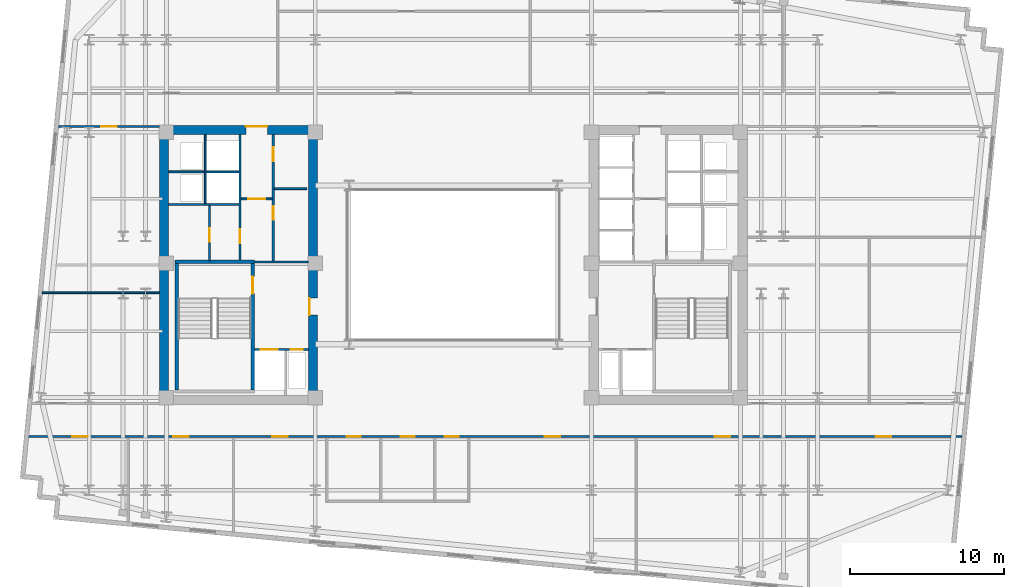
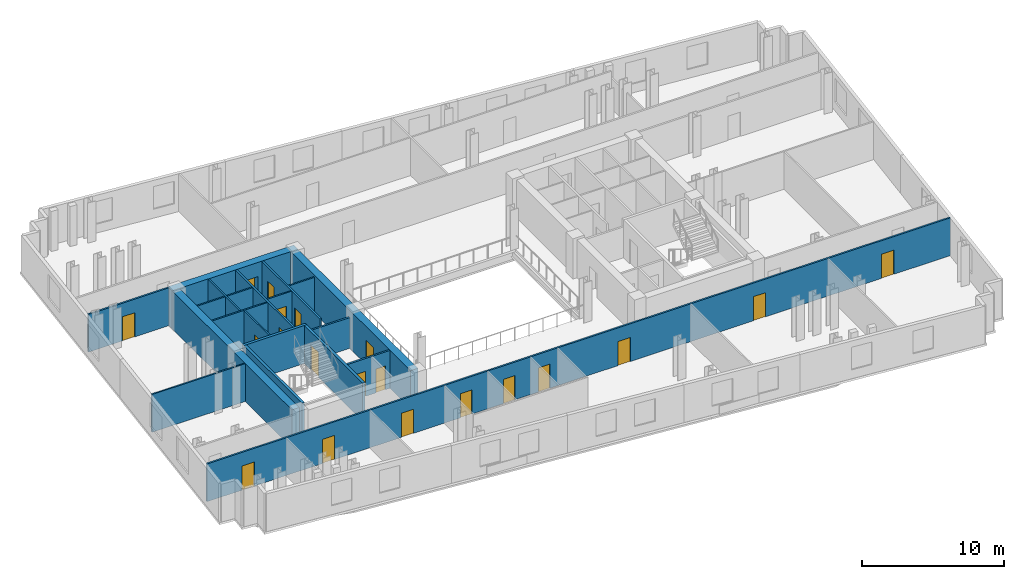
# One storey, part 4 of 9: 20 doors, 20 walls, 20 openings.
"""IFC4 building model written with IfcOpenShell, lengths in metres."""

from ifc_helpers import new_model, si_unit, direction, frame, frame_2d, origin, place, context, subcontext, project, spatial, rectangle, extrude, material, layer, layer_set, type_object, element, fill, save


model = new_model("IFC4")

# Units and contexts
model_context = context("Model", 3, precision=1e-05, world=origin(), true_north=direction((0.0, 1.0)))
body_context = subcontext(model_context, "Body", "Model", "MODEL_VIEW")
ifc_project = project(units=[si_unit("LENGTHUNIT", "METRE"), si_unit("AREAUNIT", "SQUARE_METRE"), si_unit("VOLUMEUNIT", "CUBIC_METRE"), si_unit("PLANEANGLEUNIT", "RADIAN"), si_unit("MASSUNIT", "GRAM", prefix="KILO")], contexts=[model_context])

# Site, building, storey
site_placement = place(None, origin())
site = spatial("IfcSite", under=ifc_project, at=site_placement, CompositionType="ELEMENT")
building_placement = place(site_placement, origin())
building = spatial("IfcBuilding", under=site, at=building_placement, Name="Velakula Bourse", CompositionType="ELEMENT")
storey_placement = place(building_placement, frame((0.0, 0.0, 181.10009765625)))
storey = spatial("IfcBuildingStorey", under=building, at=storey_placement, Name="L49", CompositionType="ELEMENT", Elevation=181.10009765625)

# Wall, opening, door
ifc_material_1 = material(Name="Concrete M50 (fck 50 MPa)", Category="concrete")
ifc_layer_1 = layer(ifc_material_1, 0.2099609375, Name="Concrete M50 (fck 50 MPa)", Category="concrete")
ifc_layer_set_1 = layer_set([ifc_layer_1], Name="Concrete M50 (fck 50 MPa)")
wall_type_1 = type_object("IfcWallType", Name="WL-CORE-210", PredefinedType="SHEAR", material=ifc_layer_set_1)
wall_1_placement = place(storey_placement, frame((-12.9951171875, -8.10009765625, 0.0), z_axis=(0.0, 0.0, 1.0), x_axis=(0.0, 1.0, 0.0)))
wall_1 = element("IfcWall", 1, at=wall_1_placement, inside=storey, type_object=wall_type_1, Name="L49 Core W Stairwell Shear Wall IN", PredefinedType="SHEAR", context=body_context, shape_type="SweptSolid", body=[
    extrude(rectangle(XDim=8.2001953125, YDim=0.2099609375, at=frame_2d((4.10009765625, 0.0))), origin(), (0.0, 0.0, 1.0), 3.27001953125),
])
opening_1_placement = place(wall_1_placement, frame((6.25, 0.0, 0.0)))
opening_1 = element("IfcOpeningElement", 2, at=opening_1_placement, cuts=wall_1, Name="Opening D-STW1", PredefinedType="OPENING", context=body_context, shape_type="SweptSolid", body=[
    extrude(rectangle(XDim=1.10009765625, YDim=2.14990234375, at=frame_2d((0.550048828125, 1.074951171875))), frame((0.0, 0.114990234375, 0.0), z_axis=(0.0, -1.0, 0.0), x_axis=(1.0, 0.0, 0.0)), (0.0, 0.0, 1.0), 0.22998046875),
])
ifc_material_2 = material(Name="Galvanised painted hollow steel fire door", Category="steel")
door_type_1 = type_object("IfcDoorType", Name="DR-FD120-1100x2150", OperationType="NOTDEFINED", PredefinedType="DOOR", material=ifc_material_2)
door_1_placement = place(opening_1_placement, origin())
door_1 = element("IfcDoor", 3, at=door_1_placement, inside=storey, type_object=door_type_1, Name="L49 Stair ST-W1 Fire Door", OperationType="SINGLE_SWING_LEFT", OverallHeight=2.14990234375, OverallWidth=1.10009765625, PredefinedType="DOOR", context=body_context, shape_type="SweptSolid", body=[
    extrude(rectangle(XDim=1.10009765625, YDim=2.14990234375, at=frame_2d((0.550048828125, 1.074951171875))), frame((0.0, 0.02490234375, 0.0), z_axis=(0.0, -1.0, 0.0), x_axis=(1.0, 0.0, 0.0)), (0.0, 0.0, 1.0), 0.050048828125),
])
fill(opening_1, door_1)

# Walls
wall_2_placement = place(storey_placement, frame((-17.925048828125, -8.10009765625, 0.0), z_axis=(0.0, 0.0, 1.0), x_axis=(0.0, 1.0, 0.0)))
element("IfcWall", 4, at=wall_2_placement, inside=storey, type_object=wall_type_1, Name="L49 Core W Stairwell Shear Wall OUT", PredefinedType="SHEAR", context=body_context, shape_type="SweptSolid", body=[
    extrude(rectangle(XDim=8.2001953125, YDim=0.2099609375, at=frame_2d((4.10009765625, 0.0))), origin(), (0.0, 0.0, 1.0), 3.27001953125),
])
wall_3_placement = place(storey_placement, frame((-12.889892578125, 0.205078125, 0.0), z_axis=(0.0, 0.0, 1.0), x_axis=(-1.0, 0.0, 0.0)))
element("IfcWall", 5, at=wall_3_placement, inside=storey, type_object=wall_type_1, Name="L49 Core W Stairwell Shear Wall N", PredefinedType="SHEAR", context=body_context, shape_type="SweptSolid", body=[
    extrude(rectangle(XDim=5.14013671875, YDim=0.2099609375, at=frame_2d((2.570068359375, 0.0))), origin(), (0.0, 0.0, 1.0), 3.27001953125),
])

# Wall, opening, door
ifc_material_3 = material(Name="Concrete M70 (fck 70 MPa)", Category="concrete")
ifc_layer_2 = layer(ifc_material_3, 0.60009765625, Name="Concrete M70 (fck 70 MPa)", Category="concrete")
ifc_layer_set_2 = layer_set([ifc_layer_2], Name="Concrete M70 (fck 70 MPa)")
wall_type_2 = type_object("IfcWallType", Name="WL-CORE-600", PredefinedType="SHEAR", material=ifc_layer_set_2)
wall_4_placement = place(storey_placement, frame((-19.050048828125, 8.75, 0.0), z_axis=(0.0, 0.0, 1.0), x_axis=(1.0, 0.0, 0.0)))
wall_4 = element("IfcWall", 6, at=wall_4_placement, inside=storey, type_object=wall_type_2, Name="L49 Core W Shear Wall N", PredefinedType="SHEAR", context=body_context, shape_type="SweptSolid", body=[
    extrude(rectangle(XDim=10.25, YDim=0.60009765625, at=frame_2d((5.125, 0.0))), origin(), (0.0, 0.0, 1.0), 3.27001953125),
])
opening_2_placement = place(wall_4_placement, frame((5.60009765625, 0.0, 0.0)))
opening_2 = element("IfcOpeningElement", 7, at=opening_2_placement, cuts=wall_4, Name="Opening D-LLW", PredefinedType="OPENING", context=body_context, shape_type="SweptSolid", body=[
    extrude(rectangle(XDim=1.39990234375, YDim=2.050048828125, at=frame_2d((0.699951171875, 1.02490234375))), frame((0.0, 0.31005859375, 0.0), z_axis=(0.0, -1.0, 0.0), x_axis=(1.0, 0.0, 0.0)), (0.0, 0.0, 1.0), 0.6201171875),
])
ifc_material_4 = material(Name="Fire-rated hardwood flush architectural door", Category="wood")
door_type_2 = type_object("IfcDoorType", Name="DR-DBL-FD60-1400", OperationType="DOUBLE_DOOR_SINGLE_SWING", PredefinedType="DOOR", material=ifc_material_4)
door_2_placement = place(opening_2_placement, origin())
door_2 = element("IfcDoor", 8, at=door_2_placement, inside=storey, type_object=door_type_2, Name="L49 Core W Lift Lobby Corridor Double Door", OperationType="DOUBLE_DOOR_SINGLE_SWING", OverallHeight=2.050048828125, OverallWidth=1.39990234375, PredefinedType="DOOR", context=body_context, shape_type="SweptSolid", body=[
    extrude(rectangle(XDim=1.39990234375, YDim=2.050048828125, at=frame_2d((0.699951171875, 1.02490234375))), frame((0.0, 0.2451171875, 0.0), z_axis=(0.0, -1.0, 0.0), x_axis=(1.0, 0.0, 0.0)), (0.0, 0.0, 1.0), 0.050048828125),
])
fill(opening_2, door_2)

# Wall
wall_5_placement = place(storey_placement, frame((-18.75, -8.449951171875, 0.0), z_axis=(0.0, 0.0, 1.0), x_axis=(0.0, 1.0, 0.0)))
element("IfcWall", 9, at=wall_5_placement, inside=storey, type_object=wall_type_2, Name="L49 Core W Shear Wall W", PredefinedType="SHEAR", context=body_context, shape_type="SweptSolid", body=[
    extrude(rectangle(XDim=16.89990234375, YDim=0.60009765625, at=frame_2d((8.449951171875, 0.0))), origin(), (0.0, 0.0, 1.0), 3.27001953125),
])

# Wall, opening, door
wall_6_placement = place(storey_placement, frame((-9.10009765625, -8.449951171875, 0.0), z_axis=(0.0, 0.0, 1.0), x_axis=(0.0, 1.0, 0.0)))
wall_6 = element("IfcWall", 10, at=wall_6_placement, inside=storey, type_object=wall_type_2, Name="L49 Core W Shear Wall E", PredefinedType="SHEAR", context=body_context, shape_type="SweptSolid", body=[
    extrude(rectangle(XDim=16.89990234375, YDim=0.60009765625, at=frame_2d((8.449951171875, 0.0))), origin(), (0.0, 0.0, 1.0), 3.27001953125),
])
opening_3_placement = place(wall_6_placement, frame((5.199951171875, 0.0, 0.0)))
opening_3 = element("IfcOpeningElement", 11, at=opening_3_placement, cuts=wall_6, Name="Opening D-FLW", PredefinedType="OPENING", context=body_context, shape_type="SweptSolid", body=[
    extrude(rectangle(XDim=1.10009765625, YDim=2.080078125, at=frame_2d((0.550048828125, 1.0400390625))), frame((0.0, 0.31005859375, 0.0), z_axis=(0.0, -1.0, 0.0), x_axis=(1.0, 0.0, 0.0)), (0.0, 0.0, 1.0), 0.6201171875),
])
door_type_3 = type_object("IfcDoorType", Name="DR-FD120-1100", OperationType="NOTDEFINED", PredefinedType="DOOR", material=ifc_material_2)
door_3_placement = place(opening_3_placement, origin())
door_3 = element("IfcDoor", 12, at=door_3_placement, inside=storey, type_object=door_type_3, Name="L49 Firefighting Lobby W Corridor Fire Door", OperationType="SINGLE_SWING_LEFT", OverallHeight=2.080078125, OverallWidth=1.10009765625, PredefinedType="DOOR", context=body_context, shape_type="SweptSolid", body=[
    extrude(rectangle(XDim=1.10009765625, YDim=2.080078125, at=frame_2d((0.550048828125, 1.0400390625))), frame((0.0, 0.2548828125, 0.0), z_axis=(0.0, -1.0, 0.0), x_axis=(1.0, 0.0, 0.0)), (0.0, 0.0, 1.0), 0.050048828125),
])
fill(opening_3, door_3)

ifc_material_5 = material(Name="Fire-rated double-layer gypsum drywall partition", Category="gypsum")
ifc_layer_3 = layer(ifc_material_5, 0.1201171875, Name="Fire-rated double-layer gypsum drywall partition", Category="gypsum")
ifc_layer_set_3 = layer_set([ifc_layer_3], Name="Fire-rated double-layer gypsum drywall partition")
wall_type_3 = type_object("IfcWallType", Name="WL-PART-120", PredefinedType="STANDARD", material=ifc_layer_set_3)
wall_7_placement = place(storey_placement, frame((-13.75, 4.280029296875, 0.0), z_axis=(0.0, 0.0, 1.0), x_axis=(1.0, 0.0, 0.0)))
wall_7 = element("IfcWall", 13, at=wall_7_placement, inside=storey, type_object=wall_type_3, Name="L49 Interior Partition WL-CRW-L49-LL-K2", PredefinedType="STANDARD", context=body_context, shape_type="SweptSolid", body=[
    extrude(rectangle(XDim=2.0, YDim=0.1201171875, at=frame_2d((1.0, 0.0))), origin(), (0.0, 0.0, 1.0), 3.25),
])
opening_4_placement = place(wall_7_placement, frame((0.449951171875, 0.0, 0.0)))
opening_4 = element("IfcOpeningElement", 14, at=opening_4_placement, cuts=wall_7, Name="Opening D-LK2", PredefinedType="OPENING", context=body_context, shape_type="SweptSolid", body=[
    extrude(rectangle(XDim=1.10009765625, YDim=2.10009765625, at=frame_2d((0.550048828125, 1.050048828125))), frame((0.0, 0.070068359375, 0.0), z_axis=(0.0, -1.0, 0.0), x_axis=(1.0, 0.0, 0.0)), (0.0, 0.0, 1.0), 0.14013671875),
])
door_type_4 = type_object("IfcDoorType", Name="DR-FD60-1100x2100", OperationType="NOTDEFINED", PredefinedType="DOOR", material=ifc_material_4)
door_4_placement = place(opening_4_placement, origin())
door_4 = element("IfcDoor", 15, at=door_4_placement, inside=storey, type_object=door_type_4, Name="L49 Core W Lift Lobby Zone Door", OperationType="SINGLE_SWING_RIGHT", OverallHeight=2.10009765625, OverallWidth=1.10009765625, PredefinedType="DOOR", context=body_context, shape_type="SweptSolid", body=[
    extrude(rectangle(XDim=1.10009765625, YDim=2.10009765625, at=frame_2d((0.550048828125, 1.050048828125))), frame((0.0, 0.02490234375, 0.0), z_axis=(0.0, -1.0, 0.0), x_axis=(1.0, 0.0, 0.0)), (0.0, 0.0, 1.0), 0.050048828125),
])
fill(opening_4, door_4)

# Walls
wall_8_placement = place(storey_placement, frame((-11.60009765625, 4.949951171875, 0.0), z_axis=(0.0, 0.0, 1.0), x_axis=(1.0, 0.0, 0.0)))
element("IfcWall", 16, at=wall_8_placement, inside=storey, type_object=wall_type_3, Name="L49 Interior Partition WL-CRW-L49-RCDIV", PredefinedType="STANDARD", context=body_context, shape_type="SweptSolid", body=[
    extrude(rectangle(XDim=2.10009765625, YDim=0.1201171875, at=frame_2d((1.050048828125, 0.0))), origin(), (0.0, 0.0, 1.0), 3.25),
])
wall_9_placement = place(storey_placement, frame((-18.449951171875, 3.919921875, 0.0), z_axis=(0.0, 0.0, 1.0), x_axis=(1.0, 0.0, 0.0)))
element("IfcWall", 17, at=wall_9_placement, inside=storey, type_object=wall_type_3, Name="L49 Interior Partition WL-CRW-L49-HI-S", PredefinedType="STANDARD", context=body_context, shape_type="SweptSolid", body=[
    extrude(rectangle(XDim=4.550048828125, YDim=0.1201171875, at=frame_2d((2.27490234375, 0.0))), origin(), (0.0, 0.0, 1.0), 3.25),
])
wall_10_placement = place(storey_placement, frame((-18.449951171875, 6.030029296875, 0.0), z_axis=(0.0, 0.0, 1.0), x_axis=(1.0, 0.0, 0.0)))
element("IfcWall", 18, at=wall_10_placement, inside=storey, type_object=wall_type_3, Name="L49 Interior Partition WL-CRW-L49-RIS-MID", PredefinedType="STANDARD", context=body_context, shape_type="SweptSolid", body=[
    extrude(rectangle(XDim=2.300048828125, YDim=0.1201171875, at=frame_2d((1.14990234375, 0.0))), origin(), (0.0, 0.0, 1.0), 3.25),
])
wall_11_placement = place(storey_placement, frame((-16.074951171875, 3.97998046875, 0.0), z_axis=(0.0, 0.0, 1.0), x_axis=(0.0, 1.0, 0.0)))
element("IfcWall", 19, at=wall_11_placement, inside=storey, type_object=wall_type_3, Name="L49 Interior Partition WL-CRW-L49-RIS-F", PredefinedType="STANDARD", context=body_context, shape_type="SweptSolid", body=[
    extrude(rectangle(XDim=4.469970703125, YDim=0.1201171875, at=frame_2d((2.23486328125, 0.0))), origin(), (0.0, 0.0, 1.0), 3.25),
])
wall_12_placement = place(storey_placement, frame((-16.0, 6.030029296875, 0.0), z_axis=(0.0, 0.0, 1.0), x_axis=(1.0, 0.0, 0.0)))
element("IfcWall", 20, at=wall_12_placement, inside=storey, type_object=wall_type_3, Name="L49 Interior Partition WL-CRW-L49-HI-DIV", PredefinedType="STANDARD", context=body_context, shape_type="SweptSolid", body=[
    extrude(rectangle(XDim=2.10009765625, YDim=0.1201171875, at=frame_2d((1.050048828125, 0.0))), origin(), (0.0, 0.0, 1.0), 3.25),
])

# Wall, opening, door
wall_13_placement = place(storey_placement, frame((-15.800048828125, 0.27001953125, 0.0), z_axis=(0.0, 0.0, 1.0), x_axis=(0.0, 1.0, 0.0)))
wall_13 = element("IfcWall", 21, at=wall_13_placement, inside=storey, type_object=wall_type_3, Name="L49 Interior Partition WL-CRW-L49-K2", PredefinedType="STANDARD", context=body_context, shape_type="SweptSolid", body=[
    extrude(rectangle(XDim=3.590087890625, YDim=0.1201171875, at=frame_2d((1.794921875, 0.0))), origin(), (0.0, 0.0, 1.0), 3.25),
])
opening_5_placement = place(wall_13_placement, frame((1.25, 0.0, 0.0)))
opening_5 = element("IfcOpeningElement", 22, at=opening_5_placement, cuts=wall_13, Name="Opening D-CE1", PredefinedType="OPENING", context=body_context, shape_type="SweptSolid", body=[
    extrude(rectangle(XDim=0.85009765625, YDim=2.050048828125, at=frame_2d((0.425048828125, 1.02490234375))), frame((0.0, 0.070068359375, 0.0), z_axis=(0.0, -1.0, 0.0), x_axis=(1.0, 0.0, 0.0)), (0.0, 0.0, 1.0), 0.14013671875),
])
door_type_5 = type_object("IfcDoorType", Name="DR-INT-850", OperationType="NOTDEFINED", PredefinedType="DOOR", material=ifc_material_4)
door_5_placement = place(opening_5_placement, origin())
door_5 = element("IfcDoor", 23, at=door_5_placement, inside=storey, type_object=door_type_5, Name="L49 Core Equipment Store Door", OperationType="SINGLE_SWING_RIGHT", OverallHeight=2.050048828125, OverallWidth=0.85009765625, PredefinedType="DOOR", context=body_context, shape_type="SweptSolid", body=[
    extrude(rectangle(XDim=0.85009765625, YDim=2.050048828125, at=frame_2d((0.425048828125, 1.02490234375))), frame((0.0, 0.02490234375, 0.0), z_axis=(0.0, -1.0, 0.0), x_axis=(1.0, 0.0, 0.0)), (0.0, 0.0, 1.0), 0.050048828125),
])
fill(opening_5, door_5)

# Wall
wall_14_placement = place(storey_placement, frame((-26.642333984375, -1.800048828125, 0.0), z_axis=(0.0, 0.0, 1.0), x_axis=(1.0, 0.0, 0.0)))
element("IfcWall", 24, at=wall_14_placement, inside=storey, type_object=wall_type_3, Name="L49 Interior Partition WL-INT-L49-W-H", PredefinedType="STANDARD", context=body_context, shape_type="SweptSolid", body=[
    extrude(rectangle(XDim=7.59228515625, YDim=0.1201171875, at=frame_2d((3.796142578125, 0.0))), origin(), (0.0, 0.0, 1.0), 3.25),
])

# Wall, openings, doors
ifc_layer_4 = layer(ifc_material_5, 0.139892578125, Name="Fire-rated double-layer gypsum drywall partition", Category="gypsum")
ifc_layer_set_4 = layer_set([ifc_layer_4], Name="Fire-rated double-layer gypsum drywall partition")
wall_type_4 = type_object("IfcWallType", Name="WL-PART-140", PredefinedType="STANDARD", material=ifc_layer_set_4)
wall_15_placement = place(storey_placement, frame((-27.539794921875, -11.1201171875, 0.0), z_axis=(0.0, 0.0, 1.0), x_axis=(1.0, 0.0, 0.0)))
wall_15 = element("IfcWall", 25, at=wall_15_placement, inside=storey, type_object=wall_type_4, Name="L49 Interior Partition WL-INT-L49-S-CORR", PredefinedType="STANDARD", context=body_context, shape_type="SweptSolid", body=[
    extrude(rectangle(XDim=60.518798828125, YDim=0.139892578125, at=frame_2d((30.25927734375, 0.0))), origin(), (0.0, 0.0, 1.0), 3.25),
])
opening_6_placement = place(wall_15_placement, frame((20.629638671875, 0.0, 0.0)))
opening_6 = element("IfcOpeningElement", 26, at=opening_6_placement, cuts=wall_15, Name="Opening D-WT1", PredefinedType="OPENING", context=body_context, shape_type="SweptSolid", body=[
    extrude(rectangle(XDim=0.919921875, YDim=2.080078125, at=frame_2d((0.4599609375, 1.0400390625))), frame((0.0, 0.079833984375, 0.0), z_axis=(0.0, -1.0, 0.0), x_axis=(1.0, 0.0, 0.0)), (0.0, 0.0, 1.0), 0.159912109375),
])
opening_7_placement = place(wall_15_placement, frame((24.129638671875, 0.0, 0.0)))
opening_7 = element("IfcOpeningElement", 27, at=opening_7_placement, cuts=wall_15, Name="Opening D-WT1", PredefinedType="OPENING", context=body_context, shape_type="SweptSolid", body=[
    extrude(rectangle(XDim=0.919921875, YDim=2.080078125, at=frame_2d((0.4599609375, 1.0400390625))), frame((0.0, 0.079833984375, 0.0), z_axis=(0.0, -1.0, 0.0), x_axis=(1.0, 0.0, 0.0)), (0.0, 0.0, 1.0), 0.159912109375),
])
opening_8_placement = place(wall_15_placement, frame((26.979736328125, 0.0, 0.0)))
opening_8 = element("IfcOpeningElement", 28, at=opening_8_placement, cuts=wall_15, Name="Opening D-WC1", PredefinedType="OPENING", context=body_context, shape_type="SweptSolid", body=[
    extrude(rectangle(XDim=0.919921875, YDim=2.080078125, at=frame_2d((0.4599609375, 1.0400390625))), frame((0.0, 0.079833984375, 0.0), z_axis=(0.0, -1.0, 0.0), x_axis=(1.0, 0.0, 0.0)), (0.0, 0.0, 1.0), 0.159912109375),
])
opening_9_placement = place(wall_15_placement, frame((2.856201171875, 0.0, 0.0)))
opening_9 = element("IfcOpeningElement", 29, at=opening_9_placement, cuts=wall_15, Name="Opening D-OF1", PredefinedType="OPENING", context=body_context, shape_type="SweptSolid", body=[
    extrude(rectangle(XDim=1.0, YDim=2.080078125, at=frame_2d((0.5, 1.0400390625))), frame((0.0, 0.079833984375, 0.0), z_axis=(0.0, -1.0, 0.0), x_axis=(1.0, 0.0, 0.0)), (0.0, 0.0, 1.0), 0.159912109375),
])
opening_10_placement = place(wall_15_placement, frame((9.375732421875, 0.0, 0.0)))
opening_10 = element("IfcOpeningElement", 30, at=opening_10_placement, cuts=wall_15, Name="Opening D-OF1", PredefinedType="OPENING", context=body_context, shape_type="SweptSolid", body=[
    extrude(rectangle(XDim=1.0, YDim=2.080078125, at=frame_2d((0.5, 1.0400390625))), frame((0.0, 0.079833984375, 0.0), z_axis=(0.0, -1.0, 0.0), x_axis=(1.0, 0.0, 0.0)), (0.0, 0.0, 1.0), 0.159912109375),
])
opening_11_placement = place(wall_15_placement, frame((15.815185546875, 0.0, 0.0)))
opening_11 = element("IfcOpeningElement", 31, at=opening_11_placement, cuts=wall_15, Name="Opening D-OF1", PredefinedType="OPENING", context=body_context, shape_type="SweptSolid", body=[
    extrude(rectangle(XDim=1.0, YDim=2.080078125, at=frame_2d((0.5, 1.0400390625))), frame((0.0, 0.079833984375, 0.0), z_axis=(0.0, -1.0, 0.0), x_axis=(1.0, 0.0, 0.0)), (0.0, 0.0, 1.0), 0.159912109375),
])
opening_12_placement = place(wall_15_placement, frame((33.464599609375, 0.0, 0.0)))
opening_12 = element("IfcOpeningElement", 32, at=opening_12_placement, cuts=wall_15, Name="Opening D-OF1", PredefinedType="OPENING", context=body_context, shape_type="SweptSolid", body=[
    extrude(rectangle(XDim=1.0, YDim=2.080078125, at=frame_2d((0.5, 1.0400390625))), frame((0.0, 0.079833984375, 0.0), z_axis=(0.0, -1.0, 0.0), x_axis=(1.0, 0.0, 0.0)), (0.0, 0.0, 1.0), 0.159912109375),
])
opening_13_placement = place(wall_15_placement, frame((44.47412109375, 0.0, 0.0)))
opening_13 = element("IfcOpeningElement", 33, at=opening_13_placement, cuts=wall_15, Name="Opening D-OF1", PredefinedType="OPENING", context=body_context, shape_type="SweptSolid", body=[
    extrude(rectangle(XDim=1.0, YDim=2.080078125, at=frame_2d((0.5, 1.0400390625))), frame((0.0, 0.079833984375, 0.0), z_axis=(0.0, -1.0, 0.0), x_axis=(1.0, 0.0, 0.0)), (0.0, 0.0, 1.0), 0.159912109375),
])
opening_14_placement = place(wall_15_placement, frame((54.91259765625, 0.0, 0.0)))
opening_14 = element("IfcOpeningElement", 34, at=opening_14_placement, cuts=wall_15, Name="Opening D-OF1", PredefinedType="OPENING", context=body_context, shape_type="SweptSolid", body=[
    extrude(rectangle(XDim=1.0, YDim=2.080078125, at=frame_2d((0.5, 1.0400390625))), frame((0.0, 0.079833984375, 0.0), z_axis=(0.0, -1.0, 0.0), x_axis=(1.0, 0.0, 0.0)), (0.0, 0.0, 1.0), 0.159912109375),
])
door_type_6 = type_object("IfcDoorType", Name="DR-OFF-1000", OperationType="NOTDEFINED", PredefinedType="DOOR", material=ifc_material_4)
door_6_placement = place(opening_9_placement, origin())
door_6 = element("IfcDoor", 35, at=door_6_placement, inside=storey, type_object=door_type_6, Name="L49 Sky-Garden Veranda Lounge Door", OperationType="SINGLE_SWING_RIGHT", OverallHeight=2.080078125, OverallWidth=1.0, PredefinedType="DOOR", context=body_context, shape_type="SweptSolid", body=[
    extrude(rectangle(XDim=1.0, YDim=2.080078125, at=frame_2d((0.5, 1.0400390625))), frame((0.0, 0.02490234375, 0.0), z_axis=(0.0, -1.0, 0.0), x_axis=(1.0, 0.0, 0.0)), (0.0, 0.0, 1.0), 0.050048828125),
])
fill(opening_9, door_6)
door_7_placement = place(opening_10_placement, origin())
door_7 = element("IfcDoor", 36, at=door_7_placement, inside=storey, type_object=door_type_6, Name="L49 Broadcast Control Office Door", OperationType="SINGLE_SWING_LEFT", OverallHeight=2.080078125, OverallWidth=1.0, PredefinedType="DOOR", context=body_context, shape_type="SweptSolid", body=[
    extrude(rectangle(XDim=1.0, YDim=2.080078125, at=frame_2d((0.5, 1.0400390625))), frame((0.0, 0.02490234375, 0.0), z_axis=(0.0, -1.0, 0.0), x_axis=(1.0, 0.0, 0.0)), (0.0, 0.0, 1.0), 0.050048828125),
])
fill(opening_10, door_7)
door_8_placement = place(opening_11_placement, origin())
door_8 = element("IfcDoor", 37, at=door_8_placement, inside=storey, type_object=door_type_6, Name="L49 Listing Committee Chamber Door", OperationType="SINGLE_SWING_RIGHT", OverallHeight=2.080078125, OverallWidth=1.0, PredefinedType="DOOR", context=body_context, shape_type="SweptSolid", body=[
    extrude(rectangle(XDim=1.0, YDim=2.080078125, at=frame_2d((0.5, 1.0400390625))), frame((0.0, 0.02490234375, 0.0), z_axis=(0.0, -1.0, 0.0), x_axis=(1.0, 0.0, 0.0)), (0.0, 0.0, 1.0), 0.050048828125),
])
fill(opening_11, door_8)
door_9_placement = place(opening_12_placement, origin())
door_9 = element("IfcDoor", 38, at=door_9_placement, inside=storey, type_object=door_type_6, Name="L49 Traders Pantry Door", OperationType="SINGLE_SWING_LEFT", OverallHeight=2.080078125, OverallWidth=1.0, PredefinedType="DOOR", context=body_context, shape_type="SweptSolid", body=[
    extrude(rectangle(XDim=1.0, YDim=2.080078125, at=frame_2d((0.5, 1.0400390625))), frame((0.0, 0.02490234375, 0.0), z_axis=(0.0, -1.0, 0.0), x_axis=(1.0, 0.0, 0.0)), (0.0, 0.0, 1.0), 0.050048828125),
])
fill(opening_12, door_9)
door_10_placement = place(opening_13_placement, origin())
door_10 = element("IfcDoor", 39, at=door_10_placement, inside=storey, type_object=door_type_6, Name="L49 Equity Options Trading Workspace Door", OperationType="SINGLE_SWING_RIGHT", OverallHeight=2.080078125, OverallWidth=1.0, PredefinedType="DOOR", context=body_context, shape_type="SweptSolid", body=[
    extrude(rectangle(XDim=1.0, YDim=2.080078125, at=frame_2d((0.5, 1.0400390625))), frame((0.0, 0.02490234375, 0.0), z_axis=(0.0, -1.0, 0.0), x_axis=(1.0, 0.0, 0.0)), (0.0, 0.0, 1.0), 0.050048828125),
])
fill(opening_13, door_10)
door_11_placement = place(opening_14_placement, origin())
door_11 = element("IfcDoor", 40, at=door_11_placement, inside=storey, type_object=door_type_6, Name="L49 Primary Dealer Office Door", OperationType="SINGLE_SWING_LEFT", OverallHeight=2.080078125, OverallWidth=1.0, PredefinedType="DOOR", context=body_context, shape_type="SweptSolid", body=[
    extrude(rectangle(XDim=1.0, YDim=2.080078125, at=frame_2d((0.5, 1.0400390625))), frame((0.0, 0.02490234375, 0.0), z_axis=(0.0, -1.0, 0.0), x_axis=(1.0, 0.0, 0.0)), (0.0, 0.0, 1.0), 0.050048828125),
])
fill(opening_14, door_11)
door_type_7 = type_object("IfcDoorType", Name="DR-WC-950", OperationType="NOTDEFINED", PredefinedType="DOOR", material=ifc_material_4)
door_12_placement = place(opening_6_placement, origin())
door_12 = element("IfcDoor", 41, at=door_12_placement, inside=storey, type_object=door_type_7, Name="L49 Male Staff Toilet Door", OperationType="SINGLE_SWING_LEFT", OverallHeight=2.080078125, OverallWidth=0.919921875, PredefinedType="DOOR", context=body_context, shape_type="SweptSolid", body=[
    extrude(rectangle(XDim=0.919921875, YDim=2.080078125, at=frame_2d((0.4599609375, 1.0400390625))), frame((0.0, 0.02490234375, 0.0), z_axis=(0.0, -1.0, 0.0), x_axis=(1.0, 0.0, 0.0)), (0.0, 0.0, 1.0), 0.050048828125),
])
fill(opening_6, door_12)
door_13_placement = place(opening_7_placement, origin())
door_13 = element("IfcDoor", 42, at=door_13_placement, inside=storey, type_object=door_type_7, Name="L49 Female Staff Toilet Door", OperationType="SINGLE_SWING_RIGHT", OverallHeight=2.080078125, OverallWidth=0.919921875, PredefinedType="DOOR", context=body_context, shape_type="SweptSolid", body=[
    extrude(rectangle(XDim=0.919921875, YDim=2.080078125, at=frame_2d((0.4599609375, 1.0400390625))), frame((0.0, 0.02490234375, 0.0), z_axis=(0.0, -1.0, 0.0), x_axis=(1.0, 0.0, 0.0)), (0.0, 0.0, 1.0), 0.050048828125),
])
fill(opening_7, door_13)
door_14_placement = place(opening_8_placement, origin())
door_14 = element("IfcDoor", 43, at=door_14_placement, inside=storey, type_object=door_type_7, Name="L49 Accessible WC Door", OperationType="SINGLE_SWING_LEFT", OverallHeight=2.080078125, OverallWidth=0.919921875, PredefinedType="DOOR", context=body_context, shape_type="SweptSolid", body=[
    extrude(rectangle(XDim=0.919921875, YDim=2.080078125, at=frame_2d((0.4599609375, 1.0400390625))), frame((0.0, 0.02490234375, 0.0), z_axis=(0.0, -1.0, 0.0), x_axis=(1.0, 0.0, 0.0)), (0.0, 0.0, 1.0), 0.050048828125),
])
fill(opening_8, door_14)

# Wall, opening, door
wall_16_placement = place(storey_placement, frame((-25.604248046875, 8.97998046875, 0.0), z_axis=(0.0, 0.0, 1.0), x_axis=(1.0, 0.0, 0.0)))
wall_16 = element("IfcWall", 44, at=wall_16_placement, inside=storey, type_object=wall_type_4, Name="L49 Interior Partition WL-INT-L49-W-NC", PredefinedType="STANDARD", context=body_context, shape_type="SweptSolid", body=[
    extrude(rectangle(XDim=6.55419921875, YDim=0.139892578125, at=frame_2d((3.277099609375, 0.0))), origin(), (0.0, 0.0, 1.0), 3.25),
])
opening_15_placement = place(wall_16_placement, frame((2.777099609375, 0.0, 0.0)))
opening_15 = element("IfcOpeningElement", 45, at=opening_15_placement, cuts=wall_16, Name="Opening D-OF1", PredefinedType="OPENING", context=body_context, shape_type="SweptSolid", body=[
    extrude(rectangle(XDim=1.0, YDim=2.080078125, at=frame_2d((0.5, 1.0400390625))), frame((0.0, 0.079833984375, 0.0), z_axis=(0.0, -1.0, 0.0), x_axis=(1.0, 0.0, 0.0)), (0.0, 0.0, 1.0), 0.159912109375),
])
door_15_placement = place(opening_15_placement, origin())
door_15 = element("IfcDoor", 46, at=door_15_placement, inside=storey, type_object=door_type_6, Name="L49 Primary Dealer Office Door", OperationType="SINGLE_SWING_RIGHT", OverallHeight=2.080078125, OverallWidth=1.0, PredefinedType="DOOR", context=body_context, shape_type="SweptSolid", body=[
    extrude(rectangle(XDim=1.0, YDim=2.080078125, at=frame_2d((0.5, 1.0400390625))), frame((0.0, 0.02490234375, 0.0), z_axis=(0.0, -1.0, 0.0), x_axis=(1.0, 0.0, 0.0)), (0.0, 0.0, 1.0), 0.050048828125),
])
fill(opening_15, door_15)

# Wall, openings, doors
ifc_material_6 = material(Name="Autoclaved aerated concrete blockwork masonry", Category="masonry")
ifc_layer_5 = layer(ifc_material_6, 0.14990234375, Name="Autoclaved aerated concrete blockwork masonry", Category="masonry")
ifc_layer_set_5 = layer_set([ifc_layer_5], Name="Autoclaved aerated concrete blockwork masonry")
wall_type_5 = type_object("IfcWallType", Name="WL-SHAFT-150", PredefinedType="STANDARD", material=ifc_layer_set_5)
wall_17_placement = place(storey_placement, frame((-12.89501953125, -5.47509765625, 0.0), z_axis=(0.0, 0.0, 1.0), x_axis=(1.0, 0.0, 0.0)))
wall_17 = element("IfcWall", 47, at=wall_17_placement, inside=storey, type_object=wall_type_5, Name="L49 Interior Partition WL-CRW-L49-FFL-N", PredefinedType="STANDARD", context=body_context, shape_type="SweptSolid", body=[
    extrude(rectangle(XDim=3.4951171875, YDim=0.14990234375, at=frame_2d((1.74755859375, 0.0))), origin(), (0.0, 0.0, 1.0), 3.25),
])
opening_16_placement = place(wall_17_placement, frame((0.419921875, 0.0, 0.0)))
opening_16 = element("IfcOpeningElement", 48, at=opening_16_placement, cuts=wall_17, Name="Opening LD-FFL-1", PredefinedType="OPENING", context=body_context, shape_type="SweptSolid", body=[
    extrude(rectangle(XDim=1.10009765625, YDim=2.14990234375, at=frame_2d((0.550048828125, 1.074951171875))), frame((0.0, 0.0849609375, 0.0), z_axis=(0.0, -1.0, 0.0), x_axis=(1.0, 0.0, 0.0)), (0.0, 0.0, 1.0), 0.169921875),
])
opening_17_placement = place(wall_17_placement, frame((2.3701171875, 0.0, 0.0)))
opening_17 = element("IfcOpeningElement", 49, at=opening_17_placement, cuts=wall_17, Name="Opening D-RS1", PredefinedType="OPENING", context=body_context, shape_type="SweptSolid", body=[
    extrude(rectangle(XDim=0.75, YDim=2.050048828125, at=frame_2d((0.375, 1.02490234375))), frame((0.0, 0.0849609375, 0.0), z_axis=(0.0, -1.0, 0.0), x_axis=(1.0, 0.0, 0.0)), (0.0, 0.0, 1.0), 0.169921875),
])
door_type_8 = type_object("IfcDoorType", Name="DR-RISER-800", OperationType="NOTDEFINED", PredefinedType="DOOR", material=ifc_material_2)
door_16_placement = place(opening_17_placement, origin())
door_16 = element("IfcDoor", 50, at=door_16_placement, inside=storey, type_object=door_type_8, Name="L49 Fire Riser Access Door", OperationType="SINGLE_SWING_LEFT", OverallHeight=2.050048828125, OverallWidth=0.75, PredefinedType="DOOR", context=body_context, shape_type="SweptSolid", body=[
    extrude(rectangle(XDim=0.75, YDim=2.050048828125, at=frame_2d((0.375, 1.02490234375))), frame((0.0, 0.02490234375, 0.0), z_axis=(0.0, -1.0, 0.0), x_axis=(1.0, 0.0, 0.0)), (0.0, 0.0, 1.0), 0.050048828125),
])
fill(opening_17, door_16)
ifc_material_7 = material(Name="Brushed grade 316 stainless steel", Category="steel")
door_type_9 = type_object("IfcDoorType", Name="DR-SLIDE-FFL-1100", OperationType="DOUBLE_DOOR_SLIDING", PredefinedType="DOOR", material=ifc_material_7)
door_17_placement = place(opening_16_placement, origin())
door_17 = element("IfcDoor", 51, at=door_17_placement, inside=storey, type_object=door_type_9, Name="L49 Firefighting Lift FFL-1 Sliding Landing Door", OperationType="DOUBLE_DOOR_SLIDING", OverallHeight=2.14990234375, OverallWidth=1.10009765625, PredefinedType="DOOR", context=body_context, shape_type="SweptSolid", body=[
    extrude(rectangle(XDim=1.10009765625, YDim=2.14990234375, at=frame_2d((0.550048828125, 1.074951171875))), frame((0.0, 0.02490234375, 0.0), z_axis=(0.0, -1.0, 0.0), x_axis=(1.0, 0.0, 0.0)), (0.0, 0.0, 1.0), 0.050048828125),
])
fill(opening_16, door_17)

# Wall
wall_18_placement = place(storey_placement, frame((-12.889892578125, 0.18994140625, 0.0), z_axis=(0.0, 0.0, 1.0), x_axis=(1.0, 0.0, 0.0)))
element("IfcWall", 52, at=wall_18_placement, inside=storey, type_object=wall_type_5, Name="L49 Interior Partition WL-CRW-L49-FF-TOP", PredefinedType="STANDARD", context=body_context, shape_type="SweptSolid", body=[
    extrude(rectangle(XDim=3.489990234375, YDim=0.14990234375, at=frame_2d((1.7451171875, 0.0))), origin(), (0.0, 0.0, 1.0), 2.64501953125),
])

# Wall, openings, doors
wall_19_placement = place(storey_placement, frame((-11.675048828125, 0.27001953125, 0.0), z_axis=(0.0, 0.0, 1.0), x_axis=(0.0, 1.0, 0.0)))
wall_19 = element("IfcWall", 53, at=wall_19_placement, inside=storey, type_object=wall_type_5, Name="L49 Interior Partition WL-CRW-L49-BANK-F", PredefinedType="STANDARD", context=body_context, shape_type="SweptSolid", body=[
    extrude(rectangle(XDim=8.179931640625, YDim=0.14990234375, at=frame_2d((4.08984375, 0.0))), origin(), (0.0, 0.0, 1.0), 3.25),
])
opening_18_placement = place(wall_19_placement, frame((2.64990234375, 0.0, 0.0)))
opening_18 = element("IfcOpeningElement", 54, at=opening_18_placement, cuts=wall_19, Name="Opening D-RC1", PredefinedType="OPENING", context=body_context, shape_type="SweptSolid", body=[
    extrude(rectangle(XDim=0.89990234375, YDim=2.050048828125, at=frame_2d((0.449951171875, 1.02490234375))), frame((0.0, 0.0849609375, 0.0), z_axis=(0.0, -1.0, 0.0), x_axis=(1.0, 0.0, 0.0)), (0.0, 0.0, 1.0), 0.169921875),
])
opening_19_placement = place(wall_19_placement, frame((6.449951171875, 0.0, 0.0)))
opening_19 = element("IfcOpeningElement", 55, at=opening_19_placement, cuts=wall_19, Name="Opening D-RC1", PredefinedType="OPENING", context=body_context, shape_type="SweptSolid", body=[
    extrude(rectangle(XDim=0.89990234375, YDim=2.050048828125, at=frame_2d((0.449951171875, 1.02490234375))), frame((0.0, 0.0849609375, 0.0), z_axis=(0.0, -1.0, 0.0), x_axis=(1.0, 0.0, 0.0)), (0.0, 0.0, 1.0), 0.169921875),
])
door_type_10 = type_object("IfcDoorType", Name="DR-FD60-900", OperationType="NOTDEFINED", PredefinedType="DOOR", material=ifc_material_4)
door_18_placement = place(opening_18_placement, origin())
door_18 = element("IfcDoor", 56, at=door_18_placement, inside=storey, type_object=door_type_10, Name="L49 Reclaimed Archive Room Door", OperationType="SINGLE_SWING_RIGHT", OverallHeight=2.050048828125, OverallWidth=0.89990234375, PredefinedType="DOOR", context=body_context, shape_type="SweptSolid", body=[
    extrude(rectangle(XDim=0.89990234375, YDim=2.050048828125, at=frame_2d((0.449951171875, 1.02490234375))), frame((0.0, 0.02490234375, 0.0), z_axis=(0.0, -1.0, 0.0), x_axis=(1.0, 0.0, 0.0)), (0.0, 0.0, 1.0), 0.050048828125),
])
fill(opening_18, door_18)
door_19_placement = place(opening_19_placement, origin())
door_19 = element("IfcDoor", 57, at=door_19_placement, inside=storey, type_object=door_type_10, Name="L49 Reclaimed Registry Store Door", OperationType="SINGLE_SWING_LEFT", OverallHeight=2.050048828125, OverallWidth=0.89990234375, PredefinedType="DOOR", context=body_context, shape_type="SweptSolid", body=[
    extrude(rectangle(XDim=0.89990234375, YDim=2.050048828125, at=frame_2d((0.449951171875, 1.02490234375))), frame((0.0, 0.02490234375, 0.0), z_axis=(0.0, -1.0, 0.0), x_axis=(1.0, 0.0, 0.0)), (0.0, 0.0, 1.0), 0.050048828125),
])
fill(opening_19, door_19)

# Wall, opening, door
wall_20_placement = place(storey_placement, frame((-13.824951171875, 0.27001953125, 0.0), z_axis=(0.0, 0.0, 1.0), x_axis=(0.0, 1.0, 0.0)))
wall_20 = element("IfcWall", 58, at=wall_20_placement, inside=storey, type_object=wall_type_5, Name="L49 Interior Partition WL-CRW-L49-OUT-F", PredefinedType="STANDARD", context=body_context, shape_type="SweptSolid", body=[
    extrude(rectangle(XDim=8.179931640625, YDim=0.14990234375, at=frame_2d((4.08984375, 0.0))), origin(), (0.0, 0.0, 1.0), 3.25),
])
opening_20_placement = place(wall_20_placement, frame((1.14990234375, 0.0, 0.0)))
opening_20 = element("IfcOpeningElement", 59, at=opening_20_placement, cuts=wall_20, Name="Opening D-CP1", PredefinedType="OPENING", context=body_context, shape_type="SweptSolid", body=[
    extrude(rectangle(XDim=0.89990234375, YDim=2.050048828125, at=frame_2d((0.449951171875, 1.02490234375))), frame((0.0, 0.0849609375, 0.0), z_axis=(0.0, -1.0, 0.0), x_axis=(1.0, 0.0, 0.0)), (0.0, 0.0, 1.0), 0.169921875),
])
door_type_11 = type_object("IfcDoorType", Name="DR-INT-900", OperationType="NOTDEFINED", PredefinedType="DOOR", material=ifc_material_4)
door_20_placement = place(opening_20_placement, origin())
door_20 = element("IfcDoor", 60, at=door_20_placement, inside=storey, type_object=door_type_11, Name="L49 Core Tea Pantry Door", OperationType="SINGLE_SWING_RIGHT", OverallHeight=2.050048828125, OverallWidth=0.89990234375, PredefinedType="DOOR", context=body_context, shape_type="SweptSolid", body=[
    extrude(rectangle(XDim=0.89990234375, YDim=2.050048828125, at=frame_2d((0.449951171875, 1.02490234375))), frame((0.0, 0.02490234375, 0.0), z_axis=(0.0, -1.0, 0.0), x_axis=(1.0, 0.0, 0.0)), (0.0, 0.0, 1.0), 0.050048828125),
])
fill(opening_20, door_20)

save(model, "model.ifc")
